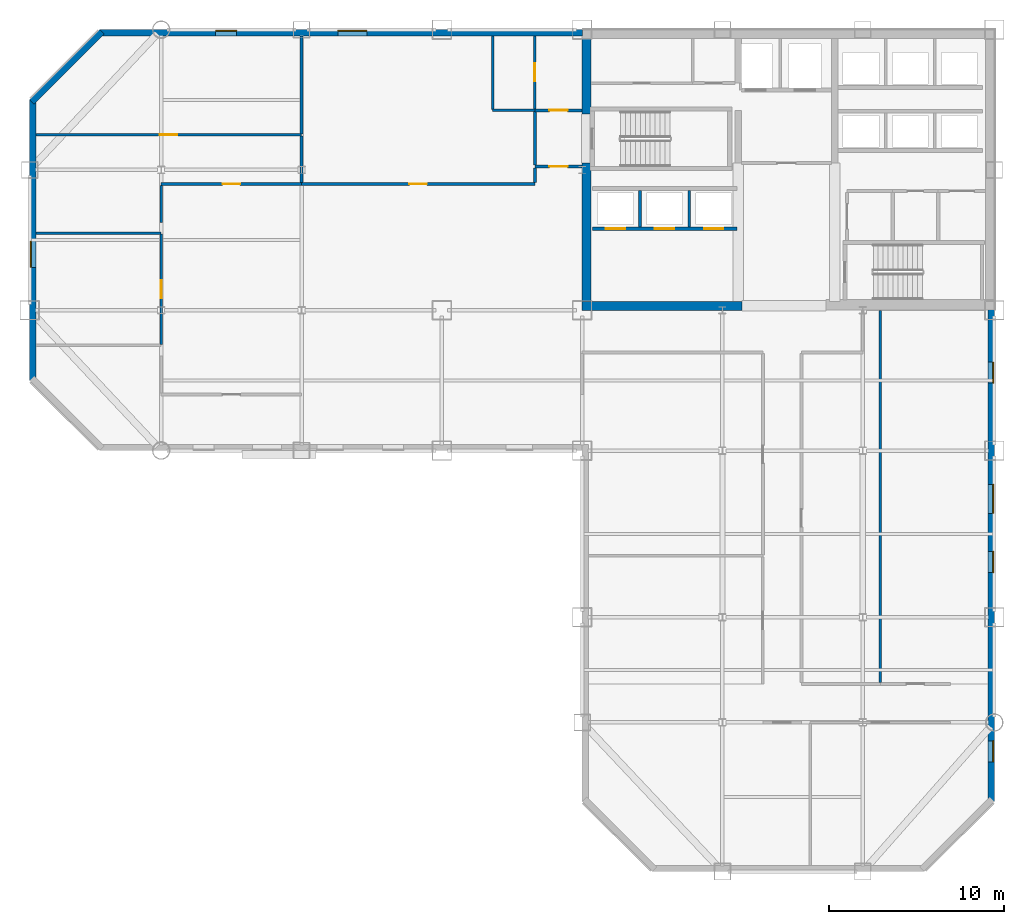
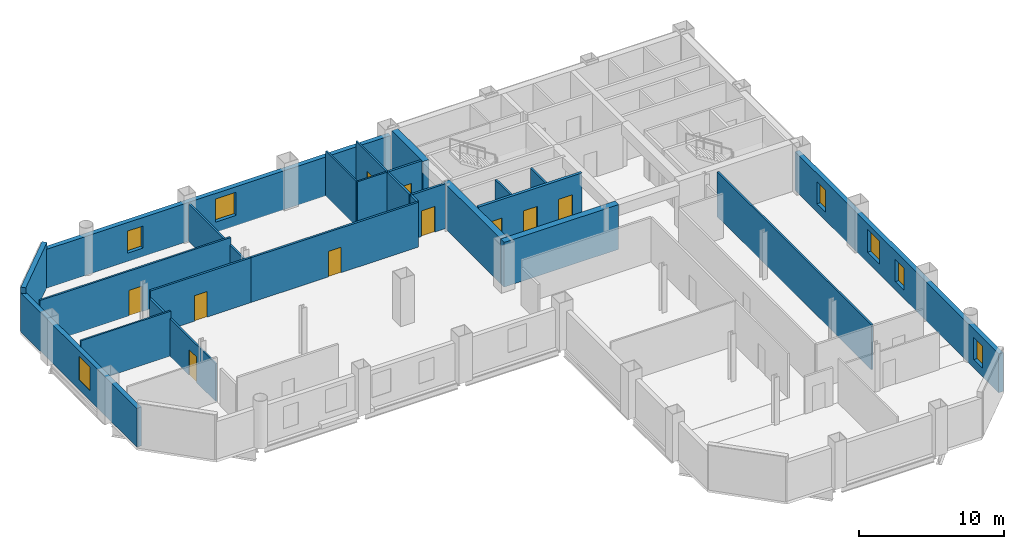
# One storey, part 6 of 10: 26 walls, 10 doors, 7 windows, 17 openings.
"""IFC4 building model written with IfcOpenShell, lengths in metres."""

from ifc_helpers import new_model, si_unit, direction, frame, frame_2d, origin, place, context, subcontext, project, spatial, rectangle, extrude, material, layer, layer_set, type_object, element, fill, save


model = new_model("IFC4")

# Units and contexts
model_context = context("Model", 3, precision=1e-05, world=origin(), true_north=direction((0.0, 1.0)))
body_context = subcontext(model_context, "Body", "Model", "MODEL_VIEW")
ifc_project = project(units=[si_unit("LENGTHUNIT", "METRE"), si_unit("AREAUNIT", "SQUARE_METRE"), si_unit("VOLUMEUNIT", "CUBIC_METRE"), si_unit("PLANEANGLEUNIT", "RADIAN"), si_unit("MASSUNIT", "GRAM", prefix="KILO")], contexts=[model_context])

# Site, building, storey
site_placement = place(None, origin())
site = spatial("IfcSite", under=ifc_project, at=site_placement, CompositionType="ELEMENT")
building_placement = place(site_placement, origin())
building = spatial("IfcBuilding", under=site, at=building_placement, Name="Qianrong Seaharbour Tower", CompositionType="ELEMENT")
storey_placement = place(building_placement, frame((0.0, 0.0, 159.0)))
storey = spatial("IfcBuildingStorey", under=building, at=storey_placement, Name="L38", CompositionType="ELEMENT", Elevation=159.0)

# Walls
ifc_material_1 = material(Name="Concrete C60/75", Category="concrete")
ifc_layer_1 = layer(ifc_material_1, 0.5)
ifc_layer_set_1 = layer_set([ifc_layer_1], Name="Concrete C60/75")
wall_type_1 = type_object("IfcWallType", Name="WALL-CORE-500", PredefinedType="SHEAR", material=ifc_layer_set_1)
wall_1_placement = place(storey_placement, frame((40.75, 36.5, 0.0), z_axis=(0.0, 0.0, 1.0), x_axis=(0.0, 1.0, 0.0)))
element("IfcWall", 1, at=wall_1_placement, inside=storey, type_object=wall_type_1, Name="L38 West Core Shear Wall South", PredefinedType="SHEAR", context=body_context, shape_type="SweptSolid", body=[
    extrude(rectangle(XDim=7.89990234375, YDim=0.5, at=frame_2d((3.949951171875, 0.0))), origin(), (0.0, 0.0, 1.0), 3.764892578125),
])
wall_2_placement = place(storey_placement, frame((40.75, 47.199951171875, 0.0), z_axis=(0.0, 0.0, 1.0), x_axis=(0.0, 1.0, 0.0)))
element("IfcWall", 2, at=wall_2_placement, inside=storey, type_object=wall_type_1, Name="L38 West Core Shear Wall North", PredefinedType="SHEAR", context=body_context, shape_type="SweptSolid", body=[
    extrude(rectangle(XDim=4.300048828125, YDim=0.5, at=frame_2d((2.14990234375, 0.0))), origin(), (0.0, 0.0, 1.0), 3.764892578125),
])
wall_3_placement = place(storey_placement, frame((40.5, 36.25, 0.0), z_axis=(0.0, 0.0, 1.0), x_axis=(1.0, 0.0, 0.0)))
element("IfcWall", 3, at=wall_3_placement, inside=storey, type_object=wall_type_1, Name="L38 South Core Shear Wall S1", PredefinedType="SHEAR", context=body_context, shape_type="SweptSolid", body=[
    extrude(rectangle(XDim=9.10009765625, YDim=0.5, at=frame_2d((4.550048828125, 0.0))), origin(), (0.0, 0.0, 1.0), 3.764892578125),
])

# Wall, opening, door
ifc_material_2 = material(Name="Fire-rated acoustic gypsum board partition")
ifc_layer_2 = layer(ifc_material_2, 0.1650390625)
ifc_layer_set_2 = layer_set([ifc_layer_2], Name="Fire-rated acoustic gypsum board partition")
wall_type_2 = type_object("IfcWallType", Name="WALL-CORR-PART-165", PredefinedType="PARTITIONING", material=ifc_layer_set_2)
wall_4_placement = place(storey_placement, frame((37.800048828125, 47.39990234375, 0.0), z_axis=(0.0, 0.0, 1.0), x_axis=(1.0, 0.0, 0.0)))
wall_4 = element("IfcWall", 4, at=wall_4_placement, inside=storey, type_object=wall_type_2, Name="L38 Interior Partition Wall 001", PredefinedType="PARTITIONING", context=body_context, shape_type="SweptSolid", body=[
    extrude(rectangle(XDim=2.699951171875, YDim=0.1650390625, at=frame_2d((1.35009765625, 0.0))), origin(), (0.0, 0.0, 1.0), 3.764892578125),
])
opening_1_placement = place(wall_4_placement, frame((0.824951171875, 0.0, 0.0)))
opening_1 = element("IfcOpeningElement", 5, at=opening_1_placement, cuts=wall_4, Name="Opening DC-01", PredefinedType="OPENING", context=body_context, shape_type="SweptSolid", body=[
    extrude(rectangle(XDim=1.050048828125, YDim=2.14990234375, at=frame_2d((0.52490234375, 1.074951171875))), frame((0.0, 0.092529296875, 0.0), z_axis=(0.0, -1.0, 0.0), x_axis=(1.0, 0.0, 0.0)), (0.0, 0.0, 1.0), 0.18505859375),
])
ifc_material_3 = material(Name="Acoustic timber and galvanized steel fire door assembly", Category="steel")
door_type_1 = type_object("IfcDoorType", Name="DOOR-CORR-FD60-1050x2150", OperationType="NOTDEFINED", PredefinedType="DOOR", material=ifc_material_3)
door_1_placement = place(opening_1_placement, origin())
door_1 = element("IfcDoor", 6, at=door_1_placement, inside=storey, type_object=door_type_1, Name="L38 Smokeproof Stair Vestibule ST-1 Door", OperationType="SINGLE_SWING_RIGHT", OverallHeight=2.14990234375, OverallWidth=1.050048828125, PredefinedType="DOOR", context=body_context, shape_type="SweptSolid", body=[
    extrude(rectangle(XDim=1.050048828125, YDim=2.14990234375, at=frame_2d((0.52490234375, 1.074951171875))), frame((0.0, 0.02490234375, 0.0), z_axis=(0.0, -1.0, 0.0), x_axis=(1.0, 0.0, 0.0)), (0.0, 0.0, 1.0), 0.050048828125),
])
fill(opening_1, door_1)

wall_5_placement = place(storey_placement, frame((40.5, 44.199951171875, 0.0), z_axis=(0.0, 0.0, 1.0), x_axis=(-1.0, 0.0, 0.0)))
wall_5 = element("IfcWall", 7, at=wall_5_placement, inside=storey, type_object=wall_type_2, Name="L38 Interior Partition Wall 002", PredefinedType="PARTITIONING", context=body_context, shape_type="SweptSolid", body=[
    extrude(rectangle(XDim=2.699951171875, YDim=0.1650390625, at=frame_2d((1.35009765625, 0.0))), origin(), (0.0, 0.0, 1.0), 3.764892578125),
])
opening_2_placement = place(wall_5_placement, frame((0.824951171875, 0.0, 0.0)))
opening_2 = element("IfcOpeningElement", 8, at=opening_2_placement, cuts=wall_5, Name="Opening DC-01", PredefinedType="OPENING", context=body_context, shape_type="SweptSolid", body=[
    extrude(rectangle(XDim=1.050048828125, YDim=2.14990234375, at=frame_2d((0.52490234375, 1.074951171875))), frame((0.0, 0.092529296875, 0.0), z_axis=(0.0, -1.0, 0.0), x_axis=(1.0, 0.0, 0.0)), (0.0, 0.0, 1.0), 0.18505859375),
])
door_2_placement = place(opening_2_placement, origin())
door_2 = element("IfcDoor", 9, at=door_2_placement, inside=storey, type_object=door_type_1, Name="L38 Smokeproof Stair Vestibule ST-1 Door", OperationType="SINGLE_SWING_LEFT", OverallHeight=2.14990234375, OverallWidth=1.050048828125, PredefinedType="DOOR", context=body_context, shape_type="SweptSolid", body=[
    extrude(rectangle(XDim=1.050048828125, YDim=2.14990234375, at=frame_2d((0.52490234375, 1.074951171875))), frame((0.0, 0.02490234375, 0.0), z_axis=(0.0, -1.0, 0.0), x_axis=(1.0, 0.0, 0.0)), (0.0, 0.0, 1.0), 0.050048828125),
])
fill(opening_2, door_2)

# Wall
wall_6_placement = place(storey_placement, frame((37.800048828125, 44.2744140625, 0.0), z_axis=(0.0, 0.0, 1.0), x_axis=(0.0, 1.0, 0.0)))
element("IfcWall", 10, at=wall_6_placement, inside=storey, type_object=wall_type_2, Name="L38 Interior Partition Wall 003", PredefinedType="PARTITIONING", context=body_context, shape_type="SweptSolid", body=[
    extrude(rectangle(XDim=3.051025390625, YDim=0.1650390625, at=frame_2d((1.525390625, 0.0))), origin(), (0.0, 0.0, 1.0), 3.764892578125),
])

# Wall, opening, door
wall_7_placement = place(storey_placement, frame((24.5, 43.199951171875, 0.0), z_axis=(0.0, 0.0, 1.0), x_axis=(1.0, 0.0, 0.0)))
wall_7 = element("IfcWall", 11, at=wall_7_placement, inside=storey, type_object=wall_type_2, Name="L38 Interior Partition Wall 019", PredefinedType="PARTITIONING", context=body_context, shape_type="SweptSolid", body=[
    extrude(rectangle(XDim=13.300048828125, YDim=0.1650390625, at=frame_2d((6.64990234375, 0.0))), origin(), (0.0, 0.0, 1.0), 3.764892578125),
])
opening_3_placement = place(wall_7_placement, frame((6.14990234375, 0.0, 0.0)))
opening_3 = element("IfcOpeningElement", 12, at=opening_3_placement, cuts=wall_7, Name="Opening DO-01", PredefinedType="OPENING", context=body_context, shape_type="SweptSolid", body=[
    extrude(rectangle(XDim=1.0, YDim=2.14990234375, at=frame_2d((0.5, 1.074951171875))), frame((0.0, 0.092529296875, 0.0), z_axis=(0.0, -1.0, 0.0), x_axis=(1.0, 0.0, 0.0)), (0.0, 0.0, 1.0), 0.18505859375),
])
door_type_2 = type_object("IfcDoorType", Name="DOOR-OFFICE-1000x2150", OperationType="NOTDEFINED", PredefinedType="DOOR", material=ifc_material_3)
door_3_placement = place(opening_3_placement, origin())
door_3 = element("IfcDoor", 13, at=door_3_placement, inside=storey, type_object=door_type_2, Name="L38 Central Spine Open-Plan Office Door", OperationType="SINGLE_SWING_LEFT", OverallHeight=2.14990234375, OverallWidth=1.0, PredefinedType="DOOR", context=body_context, shape_type="SweptSolid", body=[
    extrude(rectangle(XDim=1.0, YDim=2.14990234375, at=frame_2d((0.5, 1.074951171875))), frame((0.0, 0.02490234375, 0.0), z_axis=(0.0, -1.0, 0.0), x_axis=(1.0, 0.0, 0.0)), (0.0, 0.0, 1.0), 0.050048828125),
])
fill(opening_3, door_3)

# Wall
wall_8_placement = place(storey_placement, frame((16.5, 41.0, 0.0), z_axis=(0.0, 0.0, 1.0), x_axis=(0.0, 1.0, 0.0)))
element("IfcWall", 14, at=wall_8_placement, inside=storey, type_object=wall_type_2, Name="L38 Interior Partition Wall 020", PredefinedType="PARTITIONING", context=body_context, shape_type="SweptSolid", body=[
    extrude(rectangle(XDim=2.12548828125, YDim=0.1650390625, at=frame_2d((1.062744140625, 0.0))), origin(), (0.0, 0.0, 1.0), 3.156982421875),
])

# Wall, opening, door
wall_9_placement = place(storey_placement, frame((16.5, 43.199951171875, 0.0), z_axis=(0.0, 0.0, 1.0), x_axis=(1.0, 0.0, 0.0)))
wall_9 = element("IfcWall", 15, at=wall_9_placement, inside=storey, type_object=wall_type_2, Name="L38 Interior Partition Wall 021", PredefinedType="PARTITIONING", context=body_context, shape_type="SweptSolid", body=[
    extrude(rectangle(XDim=8.0, YDim=0.1650390625, at=frame_2d((4.0, 0.0))), origin(), (0.0, 0.0, 1.0), 3.764892578125),
])
opening_4_placement = place(wall_9_placement, frame((3.5, 0.0, 0.0)))
opening_4 = element("IfcOpeningElement", 16, at=opening_4_placement, cuts=wall_9, Name="Opening DO-01", PredefinedType="OPENING", context=body_context, shape_type="SweptSolid", body=[
    extrude(rectangle(XDim=1.0, YDim=2.14990234375, at=frame_2d((0.5, 1.074951171875))), frame((0.0, 0.092529296875, 0.0), z_axis=(0.0, -1.0, 0.0), x_axis=(1.0, 0.0, 0.0)), (0.0, 0.0, 1.0), 0.18505859375),
])
door_4_placement = place(opening_4_placement, origin())
door_4 = element("IfcDoor", 17, at=door_4_placement, inside=storey, type_object=door_type_2, Name="L38 Hospitality Dining Room 3 Door", OperationType="SINGLE_SWING_RIGHT", OverallHeight=2.14990234375, OverallWidth=1.0, PredefinedType="DOOR", context=body_context, shape_type="SweptSolid", body=[
    extrude(rectangle(XDim=1.0, YDim=2.14990234375, at=frame_2d((0.5, 1.074951171875))), frame((0.0, 0.02490234375, 0.0), z_axis=(0.0, -1.0, 0.0), x_axis=(1.0, 0.0, 0.0)), (0.0, 0.0, 1.0), 0.050048828125),
])
fill(opening_4, door_4)

# Wall
wall_10_placement = place(storey_placement, frame((37.800048828125, 43.2744140625, 0.0), z_axis=(0.0, 0.0, 1.0), x_axis=(0.0, 1.0, 0.0)))
element("IfcWall", 18, at=wall_10_placement, inside=storey, type_object=wall_type_2, Name="L38 Interior Partition Wall 023", PredefinedType="PARTITIONING", context=body_context, shape_type="SweptSolid", body=[
    extrude(rectangle(XDim=0.85107421875, YDim=0.1650390625, at=frame_2d((0.425537109375, 0.0))), origin(), (0.0, 0.0, 1.0), 3.764892578125),
])

# Wall, opening, window
ifc_material_4 = material(Name="Unitised red brick on Precast concrete C45/55", Category="masonry")
ifc_layer_3 = layer(ifc_material_4, 0.360107421875)
ifc_layer_set_3 = layer_set([ifc_layer_3], Name="Unitised red brick on Precast concrete C45/55")
wall_type_3 = type_object("IfcWallType", Name="WALL-EXT-BRICK-RED-360", PredefinedType="SOLIDWALL", material=ifc_layer_set_3)
wall_11_placement = place(storey_placement, frame((9.179931640625, 32.0, 0.0), z_axis=(0.0, 0.0, 1.0), x_axis=(0.0, 1.0, 0.0)))
wall_11 = element("IfcWall", 19, at=wall_11_placement, inside=storey, type_object=wall_type_3, Name="L38 Exterior Masonry Facade Wall WEST_TIP", PredefinedType="SOLIDWALL", context=body_context, shape_type="SweptSolid", body=[
    extrude(rectangle(XDim=16.0, YDim=0.360107421875, at=frame_2d((8.0, 0.0))), origin(), (0.0, 0.0, 1.0), 3.264892578125),
])
opening_5_placement = place(wall_11_placement, frame((6.449951171875, 0.0, 0.85009765625)))
opening_5 = element("IfcOpeningElement", 20, at=opening_5_placement, cuts=wall_11, Name="Opening WN-03", PredefinedType="OPENING", context=body_context, shape_type="SweptSolid", body=[
    extrude(rectangle(XDim=1.5, YDim=1.949951171875, at=frame_2d((0.75, 0.97509765625))), frame((0.0, 0.18994140625, 0.0), z_axis=(0.0, -1.0, 0.0), x_axis=(1.0, 0.0, 0.0)), (0.0, 0.0, 1.0), 0.380126953125),
])
ifc_material_5 = material(Name="Insulated low-e double glazing in thermally broken aluminium 6063-T6 frame", Category="aluminium")
window_type_1 = type_object("IfcWindowType", Name="WIN-PUNCH-1500x1950", PartitioningType="DOUBLE_PANEL_VERTICAL", PredefinedType="WINDOW", material=ifc_material_5)
window_1_placement = place(opening_5_placement, origin())
window_1 = element("IfcWindow", 21, at=window_1_placement, inside=storey, type_object=window_type_1, Name="L38 Deep-Set Punched Window 03.02", OverallHeight=1.949951171875, OverallWidth=1.5, PartitioningType="DOUBLE_PANEL_VERTICAL", PredefinedType="WINDOW", context=body_context, shape_type="SweptSolid", body=[
    extrude(rectangle(XDim=1.5, YDim=1.949951171875, at=frame_2d((0.75, 0.97509765625))), frame((0.0, 0.150146484375, 0.0), z_axis=(0.0, -1.0, 0.0), x_axis=(1.0, 0.0, 0.0)), (0.0, 0.0, 1.0), 0.06005859375),
])
fill(opening_5, window_1)

# Wall
wall_12_placement = place(storey_placement, frame((9.127197265625, 47.872802734375, 0.0), z_axis=(0.0, 0.0, 1.0), x_axis=(0.707106781187, 0.707106781187, 0.0)))
element("IfcWall", 22, at=wall_12_placement, inside=storey, type_object=wall_type_3, Name="L38 Exterior Masonry Facade Wall E04", PredefinedType="SOLIDWALL", context=body_context, shape_type="SweptSolid", body=[
    extrude(rectangle(XDim=5.65673828125, YDim=0.360107421875, at=frame_2d((2.828369140625, 0.0))), origin(), (0.0, 0.0, 1.0), 3.764892578125),
])

# Wall, openings, windows
wall_13_placement = place(storey_placement, frame((13.0, 51.820068359375, 0.0), z_axis=(0.0, 0.0, 1.0), x_axis=(1.0, 0.0, 0.0)))
wall_13 = element("IfcWall", 23, at=wall_13_placement, inside=storey, type_object=wall_type_3, Name="L38 Exterior Masonry Facade Wall NORTH_WING", PredefinedType="SOLIDWALL", context=body_context, shape_type="SweptSolid", body=[
    extrude(rectangle(XDim=27.52001953125, YDim=0.360107421875, at=frame_2d((13.760009765625, 0.0))), origin(), (0.0, 0.0, 1.0), 3.264892578125),
])
opening_6_placement = place(wall_13_placement, frame((6.60009765625, 0.0, 0.699951171875)))
opening_6 = element("IfcOpeningElement", 24, at=opening_6_placement, cuts=wall_13, Name="Opening WN-01", PredefinedType="OPENING", context=body_context, shape_type="SweptSolid", body=[
    extrude(rectangle(XDim=1.199951171875, YDim=1.85009765625, at=frame_2d((0.60009765625, 0.925048828125))), frame((0.0, 0.18994140625, 0.0), z_axis=(0.0, -1.0, 0.0), x_axis=(1.0, 0.0, 0.0)), (0.0, 0.0, 1.0), 0.380126953125),
])
opening_7_placement = place(wall_13_placement, frame((13.574951171875, 0.0, 0.85009765625)))
opening_7 = element("IfcOpeningElement", 25, at=opening_7_placement, cuts=wall_13, Name="Opening WN-04", PredefinedType="OPENING", context=body_context, shape_type="SweptSolid", body=[
    extrude(rectangle(XDim=1.64990234375, YDim=1.949951171875, at=frame_2d((0.824951171875, 0.97509765625))), frame((0.0, 0.18994140625, 0.0), z_axis=(0.0, -1.0, 0.0), x_axis=(1.0, 0.0, 0.0)), (0.0, 0.0, 1.0), 0.380126953125),
])
window_type_2 = type_object("IfcWindowType", Name="WIN-PUNCH-1200x1850", PartitioningType="DOUBLE_PANEL_VERTICAL", PredefinedType="WINDOW", material=ifc_material_5)
window_2_placement = place(opening_6_placement, origin())
window_2 = element("IfcWindow", 26, at=window_2_placement, inside=storey, type_object=window_type_2, Name="L38 Deep-Set Punched Window 05.02", OverallHeight=1.85009765625, OverallWidth=1.199951171875, PartitioningType="DOUBLE_PANEL_VERTICAL", PredefinedType="WINDOW", context=body_context, shape_type="SweptSolid", body=[
    extrude(rectangle(XDim=1.199951171875, YDim=1.85009765625, at=frame_2d((0.60009765625, 0.925048828125))), frame((0.0, 0.150146484375, 0.0), z_axis=(0.0, -1.0, 0.0), x_axis=(1.0, 0.0, 0.0)), (0.0, 0.0, 1.0), 0.06005859375),
])
fill(opening_6, window_2)
window_type_3 = type_object("IfcWindowType", Name="WIN-PUNCH-1650x1950", PartitioningType="DOUBLE_PANEL_VERTICAL", PredefinedType="WINDOW", material=ifc_material_5)
window_3_placement = place(opening_7_placement, origin())
window_3 = element("IfcWindow", 27, at=window_3_placement, inside=storey, type_object=window_type_3, Name="L38 Deep-Set Punched Window 05.04", OverallHeight=1.949951171875, OverallWidth=1.64990234375, PartitioningType="DOUBLE_PANEL_VERTICAL", PredefinedType="WINDOW", context=body_context, shape_type="SweptSolid", body=[
    extrude(rectangle(XDim=1.64990234375, YDim=1.949951171875, at=frame_2d((0.824951171875, 0.97509765625))), frame((0.0, 0.150146484375, 0.0), z_axis=(0.0, -1.0, 0.0), x_axis=(1.0, 0.0, 0.0)), (0.0, 0.0, 1.0), 0.06005859375),
])
fill(opening_7, window_3)

wall_14_placement = place(storey_placement, frame((63.820068359375, 36.050048828125, 0.0), z_axis=(0.0, 0.0, 1.0), x_axis=(0.0, -1.0, 0.0)))
wall_14 = element("IfcWall", 28, at=wall_14_placement, inside=storey, type_object=wall_type_3, Name="L38 Exterior Masonry Facade Wall EAST_WING", PredefinedType="SOLIDWALL", context=body_context, shape_type="SweptSolid", body=[
    extrude(rectangle(XDim=28.050048828125, YDim=0.360107421875, at=frame_2d((14.02490234375, 0.0))), origin(), (0.0, 0.0, 1.0), 3.264892578125),
])
opening_8_placement = place(wall_14_placement, frame((3.0, 0.0, 0.699951171875)))
opening_8 = element("IfcOpeningElement", 29, at=opening_8_placement, cuts=wall_14, Name="Opening WN-01", PredefinedType="OPENING", context=body_context, shape_type="SweptSolid", body=[
    extrude(rectangle(XDim=1.199951171875, YDim=1.85009765625, at=frame_2d((0.60009765625, 0.925048828125))), frame((0.0, 0.18994140625, 0.0), z_axis=(0.0, -1.0, 0.0), x_axis=(1.0, 0.0, 0.0)), (0.0, 0.0, 1.0), 0.380126953125),
])
opening_9_placement = place(wall_14_placement, frame((9.97509765625, 0.0, 0.85009765625)))
opening_9 = element("IfcOpeningElement", 30, at=opening_9_placement, cuts=wall_14, Name="Opening WN-04", PredefinedType="OPENING", context=body_context, shape_type="SweptSolid", body=[
    extrude(rectangle(XDim=1.64990234375, YDim=1.949951171875, at=frame_2d((0.824951171875, 0.97509765625))), frame((0.0, 0.18994140625, 0.0), z_axis=(0.0, -1.0, 0.0), x_axis=(1.0, 0.0, 0.0)), (0.0, 0.0, 1.0), 0.380126953125),
])
opening_10_placement = place(wall_14_placement, frame((13.800048828125, 0.0, 0.699951171875)))
opening_10 = element("IfcOpeningElement", 31, at=opening_10_placement, cuts=wall_14, Name="Opening WN-01", PredefinedType="OPENING", context=body_context, shape_type="SweptSolid", body=[
    extrude(rectangle(XDim=1.199951171875, YDim=1.85009765625, at=frame_2d((0.60009765625, 0.925048828125))), frame((0.0, 0.18994140625, 0.0), z_axis=(0.0, -1.0, 0.0), x_axis=(1.0, 0.0, 0.0)), (0.0, 0.0, 1.0), 0.380126953125),
])
opening_11_placement = place(wall_14_placement, frame((24.60009765625, 0.0, 0.699951171875)))
opening_11 = element("IfcOpeningElement", 32, at=opening_11_placement, cuts=wall_14, Name="Opening WN-01", PredefinedType="OPENING", context=body_context, shape_type="SweptSolid", body=[
    extrude(rectangle(XDim=1.199951171875, YDim=1.85009765625, at=frame_2d((0.60009765625, 0.925048828125))), frame((0.0, 0.18994140625, 0.0), z_axis=(0.0, -1.0, 0.0), x_axis=(1.0, 0.0, 0.0)), (0.0, 0.0, 1.0), 0.380126953125),
])
window_4_placement = place(opening_8_placement, origin())
window_4 = element("IfcWindow", 33, at=window_4_placement, inside=storey, type_object=window_type_2, Name="L38 Deep-Set Punched Window 06.01", OverallHeight=1.85009765625, OverallWidth=1.199951171875, PartitioningType="DOUBLE_PANEL_VERTICAL", PredefinedType="WINDOW", context=body_context, shape_type="SweptSolid", body=[
    extrude(rectangle(XDim=1.199951171875, YDim=1.85009765625, at=frame_2d((0.60009765625, 0.925048828125))), frame((0.0, 0.150146484375, 0.0), z_axis=(0.0, -1.0, 0.0), x_axis=(1.0, 0.0, 0.0)), (0.0, 0.0, 1.0), 0.06005859375),
])
fill(opening_8, window_4)
window_5_placement = place(opening_10_placement, origin())
window_5 = element("IfcWindow", 34, at=window_5_placement, inside=storey, type_object=window_type_2, Name="L38 Deep-Set Punched Window 06.04", OverallHeight=1.85009765625, OverallWidth=1.199951171875, PartitioningType="DOUBLE_PANEL_VERTICAL", PredefinedType="WINDOW", context=body_context, shape_type="SweptSolid", body=[
    extrude(rectangle(XDim=1.199951171875, YDim=1.85009765625, at=frame_2d((0.60009765625, 0.925048828125))), frame((0.0, 0.150146484375, 0.0), z_axis=(0.0, -1.0, 0.0), x_axis=(1.0, 0.0, 0.0)), (0.0, 0.0, 1.0), 0.06005859375),
])
fill(opening_10, window_5)
window_6_placement = place(opening_11_placement, origin())
window_6 = element("IfcWindow", 35, at=window_6_placement, inside=storey, type_object=window_type_2, Name="L38 Deep-Set Punched Window 06.07", OverallHeight=1.85009765625, OverallWidth=1.199951171875, PartitioningType="DOUBLE_PANEL_VERTICAL", PredefinedType="WINDOW", context=body_context, shape_type="SweptSolid", body=[
    extrude(rectangle(XDim=1.199951171875, YDim=1.85009765625, at=frame_2d((0.60009765625, 0.925048828125))), frame((0.0, 0.150146484375, 0.0), z_axis=(0.0, -1.0, 0.0), x_axis=(1.0, 0.0, 0.0)), (0.0, 0.0, 1.0), 0.06005859375),
])
fill(opening_11, window_6)
window_7_placement = place(opening_9_placement, origin())
window_7 = element("IfcWindow", 36, at=window_7_placement, inside=storey, type_object=window_type_3, Name="L38 Deep-Set Punched Window 06.03", OverallHeight=1.949951171875, OverallWidth=1.64990234375, PartitioningType="DOUBLE_PANEL_VERTICAL", PredefinedType="WINDOW", context=body_context, shape_type="SweptSolid", body=[
    extrude(rectangle(XDim=1.64990234375, YDim=1.949951171875, at=frame_2d((0.824951171875, 0.97509765625))), frame((0.0, 0.150146484375, 0.0), z_axis=(0.0, -1.0, 0.0), x_axis=(1.0, 0.0, 0.0)), (0.0, 0.0, 1.0), 0.06005859375),
])
fill(opening_9, window_7)

# Walls
ifc_material_6 = material(Name="Acoustic gypsum board stud partition")
ifc_layer_4 = layer(ifc_material_6, 0.14501953125)
ifc_layer_set_4 = layer_set([ifc_layer_4], Name="Acoustic gypsum board stud partition")
wall_type_4 = type_object("IfcWallType", Name="WALL-OFFICE-PART-145", PredefinedType="PARTITIONING", material=ifc_layer_set_4)
wall_15_placement = place(storey_placement, frame((24.5, 43.2744140625, 0.0), z_axis=(0.0, 0.0, 1.0), x_axis=(0.0, 1.0, 0.0)))
element("IfcWall", 37, at=wall_15_placement, inside=storey, type_object=wall_type_4, Name="L38 Interior Partition Wall 035", PredefinedType="PARTITIONING", context=body_context, shape_type="SweptSolid", body=[
    extrude(rectangle(XDim=2.6611328125, YDim=0.14501953125, at=frame_2d((1.33056640625, 0.0))), origin(), (0.0, 0.0, 1.0), 3.156982421875),
])
wall_16_placement = place(storey_placement, frame((24.5, 46.064453125, 0.0), z_axis=(0.0, 0.0, 1.0), x_axis=(0.0, 1.0, 0.0)))
element("IfcWall", 38, at=wall_16_placement, inside=storey, type_object=wall_type_4, Name="L38 Interior Partition Wall 036", PredefinedType="PARTITIONING", context=body_context, shape_type="SweptSolid", body=[
    extrude(rectangle(XDim=5.58349609375, YDim=0.14501953125, at=frame_2d((2.791748046875, 0.0))), origin(), (0.0, 0.0, 1.0), 3.156982421875),
])

# Wall, opening, door
wall_17_placement = place(storey_placement, frame((9.35205078125, 46.0, 0.0), z_axis=(0.0, 0.0, 1.0), x_axis=(1.0, 0.0, 0.0)))
wall_17 = element("IfcWall", 39, at=wall_17_placement, inside=storey, type_object=wall_type_4, Name="L38 Interior Partition Wall 039", PredefinedType="PARTITIONING", context=body_context, shape_type="SweptSolid", body=[
    extrude(rectangle(XDim=15.14794921875, YDim=0.14501953125, at=frame_2d((7.573974609375, 0.0))), origin(), (0.0, 0.0, 1.0), 3.764892578125),
])
opening_12_placement = place(wall_17_placement, frame((7.073974609375, 0.0, 0.0)))
opening_12 = element("IfcOpeningElement", 40, at=opening_12_placement, cuts=wall_17, Name="Opening DO-01", PredefinedType="OPENING", context=body_context, shape_type="SweptSolid", body=[
    extrude(rectangle(XDim=1.0, YDim=2.14990234375, at=frame_2d((0.5, 1.074951171875))), frame((0.0, 0.08251953125, 0.0), z_axis=(0.0, -1.0, 0.0), x_axis=(1.0, 0.0, 0.0)), (0.0, 0.0, 1.0), 0.1650390625),
])
door_5_placement = place(opening_12_placement, origin())
door_5 = element("IfcDoor", 41, at=door_5_placement, inside=storey, type_object=door_type_2, Name="L38 Quiet Sitting Lounge 4 Door", OperationType="SINGLE_SWING_LEFT", OverallHeight=2.14990234375, OverallWidth=1.0, PredefinedType="DOOR", context=body_context, shape_type="SweptSolid", body=[
    extrude(rectangle(XDim=1.0, YDim=2.14990234375, at=frame_2d((0.5, 1.074951171875))), frame((0.0, 0.02490234375, 0.0), z_axis=(0.0, -1.0, 0.0), x_axis=(1.0, 0.0, 0.0)), (0.0, 0.0, 1.0), 0.050048828125),
])
fill(opening_12, door_5)

# Walls
wall_18_placement = place(storey_placement, frame((57.5, 36.0, 0.0), z_axis=(0.0, 0.0, 1.0), x_axis=(0.0, -1.0, 0.0)))
element("IfcWall", 42, at=wall_18_placement, inside=storey, type_object=wall_type_4, Name="L38 Interior Partition Wall 040", PredefinedType="PARTITIONING", context=body_context, shape_type="SweptSolid", body=[
    extrude(rectangle(XDim=21.2255859375, YDim=0.14501953125, at=frame_2d((10.61279296875, 0.0))), origin(), (0.0, 0.0, 1.0), 3.764892578125),
])
ifc_material_7 = material(Name="Fire-rated gypsum board on steel studs", Category="steel")
ifc_layer_5 = layer(ifc_material_7, 0.14990234375)
ifc_layer_set_5 = layer_set([ifc_layer_5], Name="Fire-rated gypsum board on steel studs")
wall_type_5 = type_object("IfcWallType", Name="WALL-SHAFT-DIV-150", PredefinedType="PARTITIONING", material=ifc_layer_set_5)
for number, where, z_axis, x_axis, name in (
    (43, (43.800048828125, 40.760009765625, 0.0), (0.0, 0.0, 1.0), (0.0, 1.0, 0.0), "L38 P2 Lift Hoistway Divider 2"),
    (44, (46.60009765625, 40.760009765625, 0.0), (0.0, 0.0, 1.0), (0.0, 1.0, 0.0), "L38 P2 Lift Hoistway Divider 3"),
):
    element("IfcWall", number, at=place(storey_placement, frame(where, z_axis=z_axis, x_axis=x_axis)), inside=storey, type_object=wall_type_5, Name=name, PredefinedType="PARTITIONING", context=body_context, shape_type="SweptSolid", body=[
        extrude(rectangle(XDim=2.080078125, YDim=0.14990234375, at=frame_2d((1.0400390625, 0.0))), origin(), (0.0, 0.0, 1.0), 3.764892578125),
    ])

# Wall, openings, doors
ifc_layer_6 = layer(ifc_material_7, 0.219970703125)
ifc_layer_set_6 = layer_set([ifc_layer_6], Name="Fire-rated gypsum board on steel studs")
wall_type_6 = type_object("IfcWallType", Name="WALL-SHAFT-GYP220", PredefinedType="PARTITIONING", material=ifc_layer_set_6)
wall_19_placement = place(storey_placement, frame((49.320068359375, 40.64990234375, 0.0), z_axis=(0.0, 0.0, 1.0), x_axis=(-1.0, 0.0, 0.0)))
wall_19 = element("IfcWall", 45, at=wall_19_placement, inside=storey, type_object=wall_type_6, Name="L38 P2 Lift Hoistway Front Wall", PredefinedType="PARTITIONING", context=body_context, shape_type="SweptSolid", body=[
    extrude(rectangle(XDim=8.239990234375, YDim=0.219970703125, at=frame_2d((4.1201171875, 0.0))), origin(), (0.0, 0.0, 1.0), 3.764892578125),
])
opening_13_placement = place(wall_19_placement, frame((6.3701171875, 0.0, 0.0)))
opening_13 = element("IfcOpeningElement", 46, at=opening_13_placement, cuts=wall_19, Name="Opening LD-02", PredefinedType="OPENING", context=body_context, shape_type="SweptSolid", body=[
    extrude(rectangle(XDim=1.10009765625, YDim=2.199951171875, at=frame_2d((0.550048828125, 1.10009765625))), frame((0.0, 0.1201171875, 0.0), z_axis=(0.0, -1.0, 0.0), x_axis=(1.0, 0.0, 0.0)), (0.0, 0.0, 1.0), 0.239990234375),
])
opening_14_placement = place(wall_19_placement, frame((3.570068359375, 0.0, 0.0)))
opening_14 = element("IfcOpeningElement", 47, at=opening_14_placement, cuts=wall_19, Name="Opening LD-02", PredefinedType="OPENING", context=body_context, shape_type="SweptSolid", body=[
    extrude(rectangle(XDim=1.10009765625, YDim=2.199951171875, at=frame_2d((0.550048828125, 1.10009765625))), frame((0.0, 0.1201171875, 0.0), z_axis=(0.0, -1.0, 0.0), x_axis=(1.0, 0.0, 0.0)), (0.0, 0.0, 1.0), 0.239990234375),
])
opening_15_placement = place(wall_19_placement, frame((0.77001953125, 0.0, 0.0)))
opening_15 = element("IfcOpeningElement", 48, at=opening_15_placement, cuts=wall_19, Name="Opening LD-02", PredefinedType="OPENING", context=body_context, shape_type="SweptSolid", body=[
    extrude(rectangle(XDim=1.10009765625, YDim=2.199951171875, at=frame_2d((0.550048828125, 1.10009765625))), frame((0.0, 0.1201171875, 0.0), z_axis=(0.0, -1.0, 0.0), x_axis=(1.0, 0.0, 0.0)), (0.0, 0.0, 1.0), 0.239990234375),
])
ifc_material_8 = material(Name="Stainless steel SUS316L bi-parting lift landing door", Category="steel")
door_type_3 = type_object("IfcDoorType", Name="DOOR-LIFT-PASS-1100x2200", OperationType="DOUBLE_DOOR_SLIDING", PredefinedType="DOOR", material=ifc_material_8)
door_6_placement = place(opening_13_placement, origin())
door_6 = element("IfcDoor", 49, at=door_6_placement, inside=storey, type_object=door_type_3, Name="L38 PL-2A Lift Landing Door", OperationType="DOUBLE_DOOR_SLIDING", OverallHeight=2.199951171875, OverallWidth=1.10009765625, PredefinedType="DOOR", context=body_context, shape_type="SweptSolid", body=[
    extrude(rectangle(XDim=1.10009765625, YDim=2.199951171875, at=frame_2d((0.550048828125, 1.10009765625))), frame((0.0, 0.02490234375, 0.0), z_axis=(0.0, -1.0, 0.0), x_axis=(1.0, 0.0, 0.0)), (0.0, 0.0, 1.0), 0.050048828125),
])
fill(opening_13, door_6)
door_7_placement = place(opening_14_placement, origin())
door_7 = element("IfcDoor", 50, at=door_7_placement, inside=storey, type_object=door_type_3, Name="L38 PL-2B Lift Landing Door", OperationType="DOUBLE_DOOR_SLIDING", OverallHeight=2.199951171875, OverallWidth=1.10009765625, PredefinedType="DOOR", context=body_context, shape_type="SweptSolid", body=[
    extrude(rectangle(XDim=1.10009765625, YDim=2.199951171875, at=frame_2d((0.550048828125, 1.10009765625))), frame((0.0, 0.02490234375, 0.0), z_axis=(0.0, -1.0, 0.0), x_axis=(1.0, 0.0, 0.0)), (0.0, 0.0, 1.0), 0.050048828125),
])
fill(opening_14, door_7)
door_8_placement = place(opening_15_placement, origin())
door_8 = element("IfcDoor", 51, at=door_8_placement, inside=storey, type_object=door_type_3, Name="L38 PL-2C Lift Landing Door", OperationType="DOUBLE_DOOR_SLIDING", OverallHeight=2.199951171875, OverallWidth=1.10009765625, PredefinedType="DOOR", context=body_context, shape_type="SweptSolid", body=[
    extrude(rectangle(XDim=1.10009765625, YDim=2.199951171875, at=frame_2d((0.550048828125, 1.10009765625))), frame((0.0, 0.02490234375, 0.0), z_axis=(0.0, -1.0, 0.0), x_axis=(1.0, 0.0, 0.0)), (0.0, 0.0, 1.0), 0.050048828125),
])
fill(opening_15, door_8)

# Wall, opening, door
ifc_material_9 = material(Name="Water-resistant cement board sanitary partition")
ifc_layer_7 = layer(ifc_material_9, 0.1298828125)
ifc_layer_set_7 = layer_set([ifc_layer_7], Name="Water-resistant cement board sanitary partition")
wall_type_7 = type_object("IfcWallType", Name="WALL-WET-PART-130", PredefinedType="PARTITIONING", material=ifc_layer_set_7)
wall_20_placement = place(storey_placement, frame((37.800048828125, 47.474609375, 0.0), z_axis=(0.0, 0.0, 1.0), x_axis=(0.0, 1.0, 0.0)))
wall_20 = element("IfcWall", 52, at=wall_20_placement, inside=storey, type_object=wall_type_7, Name="L38 Interior Partition Wall 004", PredefinedType="PARTITIONING", context=body_context, shape_type="SweptSolid", body=[
    extrude(rectangle(XDim=4.17333984375, YDim=0.1298828125, at=frame_2d((2.086669921875, 0.0))), origin(), (0.0, 0.0, 1.0), 3.764892578125),
])
opening_16_placement = place(wall_20_placement, frame((1.57666015625, 0.0, 0.0)))
opening_16 = element("IfcOpeningElement", 53, at=opening_16_placement, cuts=wall_20, Name="Opening DAW-01", PredefinedType="OPENING", context=body_context, shape_type="SweptSolid", body=[
    extrude(rectangle(XDim=1.02001953125, YDim=2.14990234375, at=frame_2d((0.510009765625, 1.074951171875))), frame((0.0, 0.074951171875, 0.0), z_axis=(0.0, -1.0, 0.0), x_axis=(1.0, 0.0, 0.0)), (0.0, 0.0, 1.0), 0.14990234375),
])
door_type_4 = type_object("IfcDoorType", Name="DOOR-AWC-SLIDE-1020x2150", OperationType="SLIDING_TO_LEFT", PredefinedType="DOOR", material=ifc_material_3)
door_9_placement = place(opening_16_placement, origin())
door_9 = element("IfcDoor", 54, at=door_9_placement, inside=storey, type_object=door_type_4, Name="L38 Accessible Restroom WC Door", OperationType="SLIDING_TO_LEFT", OverallHeight=2.14990234375, OverallWidth=1.02001953125, PredefinedType="DOOR", context=body_context, shape_type="SweptSolid", body=[
    extrude(rectangle(XDim=1.02001953125, YDim=2.14990234375, at=frame_2d((0.510009765625, 1.074951171875))), frame((0.0, 0.02490234375, 0.0), z_axis=(0.0, -1.0, 0.0), x_axis=(1.0, 0.0, 0.0)), (0.0, 0.0, 1.0), 0.050048828125),
])
fill(opening_16, door_9)

# Walls
wall_21_placement = place(storey_placement, frame((37.800048828125, 47.39990234375, 0.0), z_axis=(0.0, 0.0, 1.0), x_axis=(-1.0, 0.0, 0.0)))
element("IfcWall", 55, at=wall_21_placement, inside=storey, type_object=wall_type_7, Name="L38 Interior Partition Wall 005", PredefinedType="PARTITIONING", context=body_context, shape_type="SweptSolid", body=[
    extrude(rectangle(XDim=2.400146484375, YDim=0.1298828125, at=frame_2d((1.2001953125, 0.0))), origin(), (0.0, 0.0, 1.0), 3.764892578125),
])
wall_22_placement = place(storey_placement, frame((35.39990234375, 47.45703125, 0.0), z_axis=(0.0, 0.0, 1.0), x_axis=(0.0, 1.0, 0.0)))
element("IfcWall", 56, at=wall_22_placement, inside=storey, type_object=wall_type_7, Name="L38 Interior Partition Wall 006", PredefinedType="PARTITIONING", context=body_context, shape_type="SweptSolid", body=[
    extrude(rectangle(XDim=4.19091796875, YDim=0.1298828125, at=frame_2d((2.095458984375, 0.0))), origin(), (0.0, 0.0, 1.0), 3.764892578125),
])

# Wall, opening, door
wall_23_placement = place(storey_placement, frame((16.5, 34.056884765625, 0.0), z_axis=(0.0, 0.0, 1.0), x_axis=(0.0, 1.0, 0.0)))
wall_23 = element("IfcWall", 57, at=wall_23_placement, inside=storey, type_object=wall_type_7, Name="L38 Interior Partition Wall 022", PredefinedType="PARTITIONING", context=body_context, shape_type="SweptSolid", body=[
    extrude(rectangle(XDim=6.2861328125, YDim=0.1298828125, at=frame_2d((3.14306640625, 0.0))), origin(), (0.0, 0.0, 1.0), 3.156982421875),
])
opening_17_placement = place(wall_23_placement, frame((2.64306640625, 0.0, 0.0)))
opening_17 = element("IfcOpeningElement", 58, at=opening_17_placement, cuts=wall_23, Name="Opening DO-01", PredefinedType="OPENING", context=body_context, shape_type="SweptSolid", body=[
    extrude(rectangle(XDim=1.0, YDim=2.14990234375, at=frame_2d((0.5, 1.074951171875))), frame((0.0, 0.074951171875, 0.0), z_axis=(0.0, -1.0, 0.0), x_axis=(1.0, 0.0, 0.0)), (0.0, 0.0, 1.0), 0.14990234375),
])
door_10_placement = place(opening_17_placement, origin())
door_10 = element("IfcDoor", 59, at=door_10_placement, inside=storey, type_object=door_type_2, Name="L38 Barista Coffee Pantry 2 Door", OperationType="SINGLE_SWING_LEFT", OverallHeight=2.14990234375, OverallWidth=1.0, PredefinedType="DOOR", context=body_context, shape_type="SweptSolid", body=[
    extrude(rectangle(XDim=1.0, YDim=2.14990234375, at=frame_2d((0.5, 1.074951171875))), frame((0.0, 0.02490234375, 0.0), z_axis=(0.0, -1.0, 0.0), x_axis=(1.0, 0.0, 0.0)), (0.0, 0.0, 1.0), 0.050048828125),
])
fill(opening_17, door_10)

# Wall
wall_24_placement = place(storey_placement, frame((9.35205078125, 40.39990234375, 0.0), z_axis=(0.0, 0.0, 1.0), x_axis=(1.0, 0.0, 0.0)))
element("IfcWall", 60, at=wall_24_placement, inside=storey, type_object=wall_type_7, Name="L38 Interior Partition Wall 038", PredefinedType="PARTITIONING", context=body_context, shape_type="SweptSolid", body=[
    extrude(rectangle(XDim=7.14794921875, YDim=0.1298828125, at=frame_2d((3.573974609375, 0.0))), origin(), (0.0, 0.0, 1.0), 3.764892578125),
])

save(model, "model.ifc")
